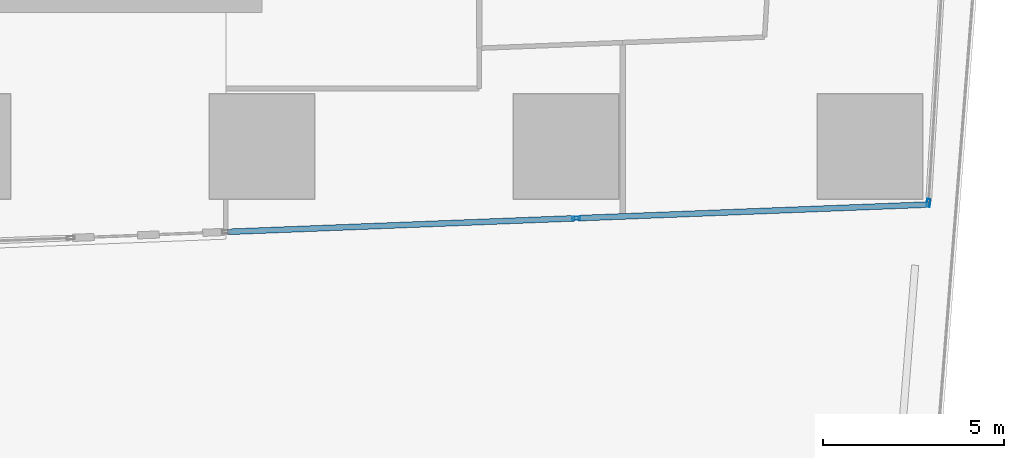
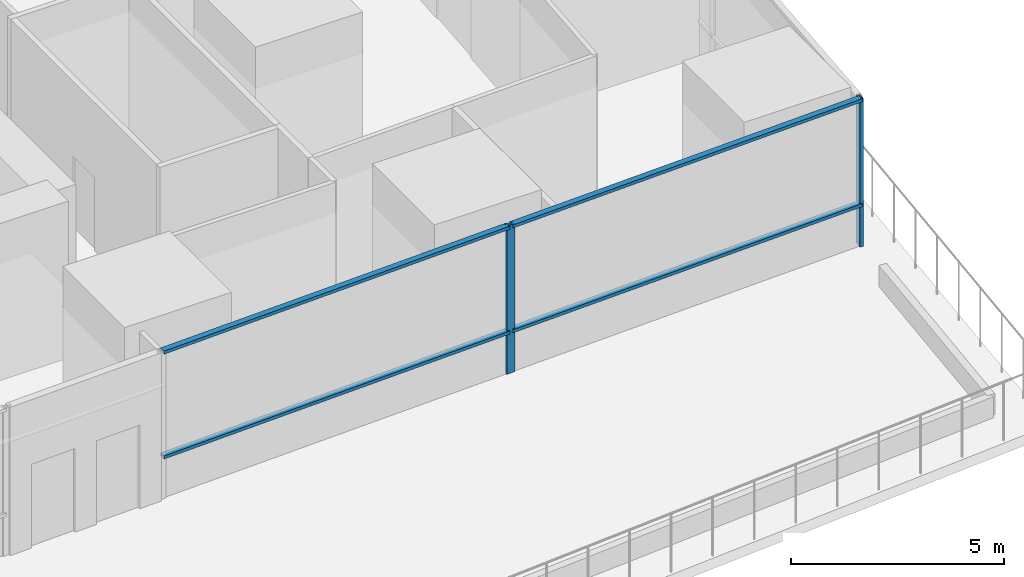
# One storey, part 7 of 44: 6 members, 2 elements without a shape of their own.
"""IFC4 building model written with IfcOpenShell, lengths in metres."""

from ifc_helpers import new_model, si_unit, direction, frame, origin, origin_2d, place, context, subcontext, project, spatial, hollow_rectangle, extrude, material, material_profile, profile_set, type_object, element, aggregate, save


model = new_model("IFC4")

# Units and contexts
model_context = context("Model", 3, precision=1e-05, world=origin(), true_north=direction((0.0, 1.0)))
body_context = subcontext(model_context, "Body", "Model", "MODEL_VIEW")
ifc_project = project(units=[si_unit("LENGTHUNIT", "METRE"), si_unit("AREAUNIT", "SQUARE_METRE"), si_unit("VOLUMEUNIT", "CUBIC_METRE"), si_unit("PLANEANGLEUNIT", "RADIAN"), si_unit("MASSUNIT", "GRAM", prefix="KILO")], contexts=[model_context])

# Site, building, storey
site_placement = place(None, origin())
site = spatial("IfcSite", under=ifc_project, at=site_placement, CompositionType="ELEMENT")
building_placement = place(site_placement, origin())
building = spatial("IfcBuilding", under=site, at=building_placement, Name="Rekha Terrace Tower", CompositionType="ELEMENT")
storey_placement = place(building_placement, frame((0.0, 0.0, 90.800048828125)))
storey = spatial("IfcBuildingStorey", under=building, at=storey_placement, Name="L22", CompositionType="ELEMENT", Elevation=90.800048828125)

# Curtain wall, member
ifc_material_1 = material(Name="Aluminium framing", Category="aluminium")
curtain_wall_type = type_object("IfcCurtainWallType", Name="CW5 sky garden glazing", PredefinedType="USERDEFINED", material=ifc_material_1)
curtain_wall_1_placement = place(storey_placement, origin())
curtain_wall_1 = element("IfcCurtainWall", 1, at=curtain_wall_1_placement, inside=storey, type_object=curtain_wall_type, Name="CW5 sky garden curtain wall", ObjectType="SKY GARDEN CURTAIN WALL", PredefinedType="USERDEFINED")
ifc_material_2 = material(Name="Aluminium mullion section", Category="aluminium")
ifc_material_profile_1 = material_profile(ifc_material_2, hollow_rectangle(XDim=0.090087890625, YDim=0.219970703125, WallThickness=0.00390625, at=origin_2d()), Name="AL RHS 90x220")
ifc_profile_set_1 = profile_set([ifc_material_profile_1], Name="Aluminium mullion section")
member_type_1 = type_object("IfcMemberType", Name="CW5 mullion RHS 90 x 220", PredefinedType="MULLION", material=ifc_profile_set_1)
member_1_placement = place(storey_placement, frame((59.085693359375, 14.814208984375, 0.0), z_axis=(0.0, 0.0, 1.0), x_axis=(-0.038889971363, 0.999243498917, 0.0)))
member_1 = element("IfcMember", 2, at=member_1_placement, type_object=member_type_1, Name="CW5 mullion 2", PredefinedType="MULLION", context=body_context, shape_type="SweptSolid", body=[
    extrude(hollow_rectangle(XDim=0.090087890625, YDim=0.219970703125, WallThickness=0.00390625, at=origin_2d()), origin(), (0.0, 0.0, 1.0), 4.25),
])

curtain_wall_2_placement = place(storey_placement, origin())
curtain_wall_2 = element("IfcCurtainWall", 3, at=curtain_wall_2_placement, inside=storey, type_object=curtain_wall_type, Name="CW5 sky garden curtain wall", ObjectType="SKY GARDEN CURTAIN WALL", PredefinedType="USERDEFINED")
member_2_placement = place(storey_placement, frame((68.814208984375, 15.23779296875, 0.0), z_axis=(0.0, 0.0, 1.0), x_axis=(-0.998127987025, 0.061159803113, 0.0)))
member_2 = element("IfcMember", 4, at=member_2_placement, type_object=member_type_1, Name="CW5 mullion 1", PredefinedType="MULLION", context=body_context, shape_type="SweptSolid", body=[
    extrude(hollow_rectangle(XDim=0.090087890625, YDim=0.219970703125, WallThickness=0.00390625, at=origin_2d()), origin(), (0.0, 0.0, 1.0), 4.25),
])
aggregate(curtain_wall_2, [member_2])

# Member
ifc_material_3 = material(Name="Aluminium transom section", Category="aluminium")
ifc_material_profile_2 = material_profile(ifc_material_3, hollow_rectangle(XDim=0.159912109375, YDim=0.090087890625, WallThickness=0.0029296875, at=origin_2d()), Name="AL RHS 160x90")
ifc_profile_set_2 = profile_set([ifc_material_profile_2], Name="Aluminium transom section")
member_type_2 = type_object("IfcMemberType", Name="CW5 transom RHS 90 x 160", PredefinedType="USERDEFINED", material=ifc_profile_set_2)
member_3_placement = place(storey_placement, frame((49.449951171875, 14.439208984375, 1.199951171875), z_axis=(0.999243410206, 0.038892250642, 0.0), x_axis=(-0.038892250642, 0.999243410206, 0.0)))
member_3 = element("IfcMember", 5, at=member_3_placement, type_object=member_type_2, Name="CW5 transom 1.2", ObjectType="TRANSOM", PredefinedType="USERDEFINED", context=body_context, shape_type="SweptSolid", body=[
    extrude(hollow_rectangle(XDim=0.159912109375, YDim=0.090087890625, WallThickness=0.0029296875, at=origin_2d()), origin(), (0.0, 0.0, 1.0), 9.59814453125),
])

member_4_placement = place(storey_placement, frame((49.449951171875, 14.439208984375, 4.204833984375), z_axis=(0.999243410206, 0.038892250642, 0.0), x_axis=(-0.038892250642, 0.999243410206, 0.0)))
member_4 = element("IfcMember", 6, at=member_4_placement, type_object=member_type_2, Name="CW5 transom 1.3", ObjectType="TRANSOM", PredefinedType="USERDEFINED", context=body_context, shape_type="SweptSolid", body=[
    extrude(hollow_rectangle(XDim=0.159912109375, YDim=0.090087890625, WallThickness=0.0029296875, at=origin_2d()), origin(), (0.0, 0.0, 1.0), 9.59814453125),
])

member_5_placement = place(storey_placement, frame((59.130615234375, 14.816162109375, 1.199951171875), z_axis=(0.999243764787, 0.038883139461, 0.0), x_axis=(-0.038883139461, 0.999243764787, 0.0)))
member_5 = element("IfcMember", 7, at=member_5_placement, type_object=member_type_2, Name="CW5 transom 2.2", ObjectType="TRANSOM", PredefinedType="USERDEFINED", context=body_context, shape_type="SweptSolid", body=[
    extrude(hollow_rectangle(XDim=0.159912109375, YDim=0.090087890625, WallThickness=0.0029296875, at=origin_2d()), origin(), (0.0, 0.0, 1.0), 9.688232421875),
])

member_6_placement = place(storey_placement, frame((59.130615234375, 14.816162109375, 4.204833984375), z_axis=(0.999243764787, 0.038883139461, 0.0), x_axis=(-0.038883139461, 0.999243764787, 0.0)))
member_6 = element("IfcMember", 8, at=member_6_placement, type_object=member_type_2, Name="CW5 transom 2.3", ObjectType="TRANSOM", PredefinedType="USERDEFINED", context=body_context, shape_type="SweptSolid", body=[
    extrude(hollow_rectangle(XDim=0.159912109375, YDim=0.090087890625, WallThickness=0.0029296875, at=origin_2d()), origin(), (0.0, 0.0, 1.0), 9.688232421875),
])

aggregate(curtain_wall_1, [member_1, member_3, member_4, member_5, member_6])

save(model, "model.ifc")
